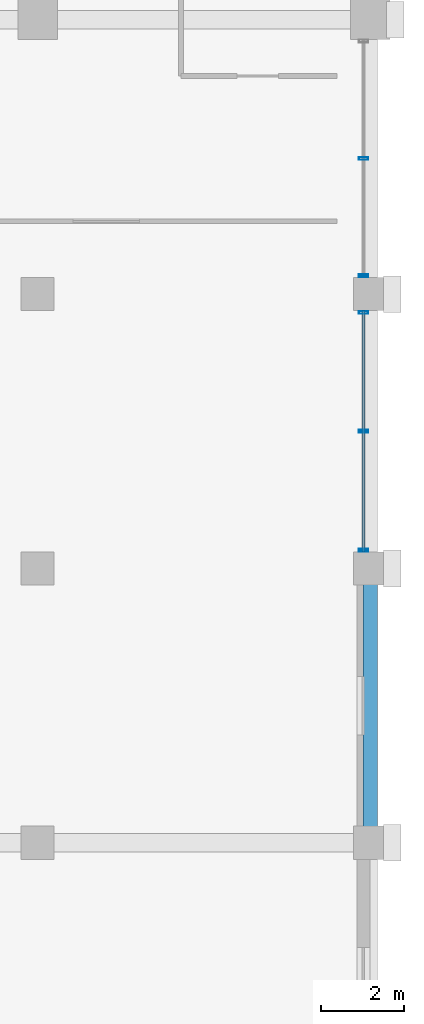
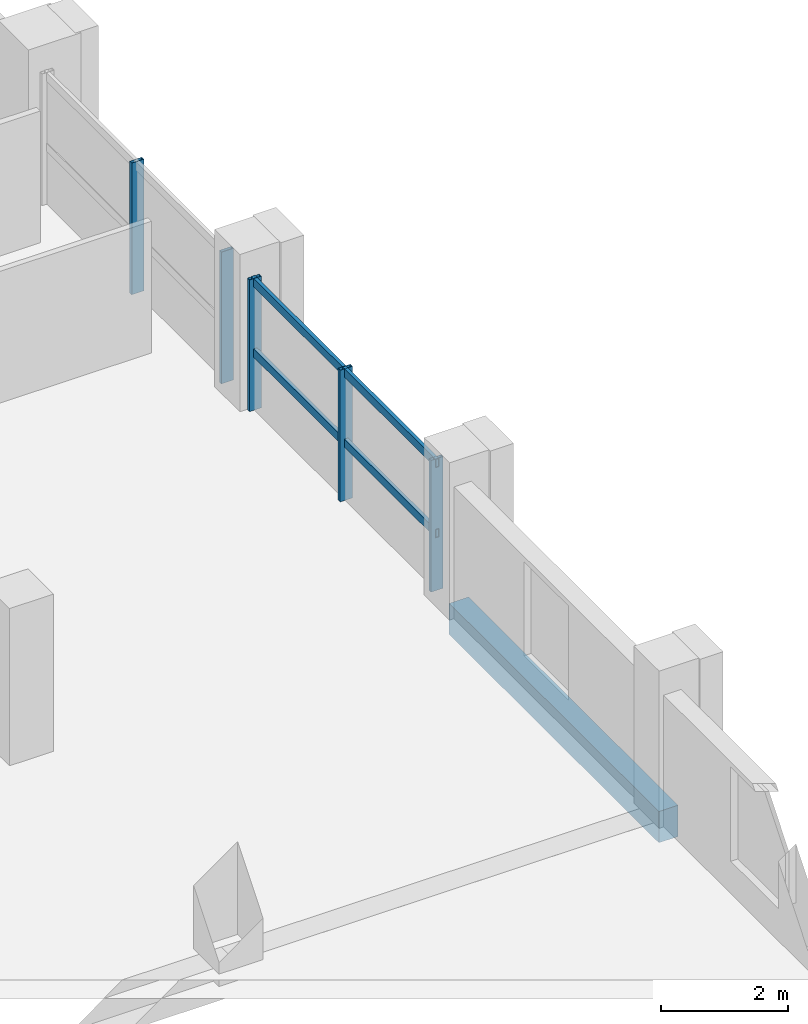
# One storey, part 9 of 23: 7 members, 1 beam, 2 elements without a shape of their own.
"""IFC4 building model written with IfcOpenShell, lengths in metres."""

from ifc_helpers import new_model, si_unit, direction, frame, origin, origin_2d, place, context, subcontext, project, spatial, rectangle, hollow_rectangle, extrude, material, material_profile, profile_set, type_object, element, aggregate, save


model = new_model("IFC4")

# Units and contexts
model_context = context("Model", 3, precision=1e-05, world=origin(), true_north=direction((0.0, 1.0)))
body_context = subcontext(model_context, "Body", "Model", "MODEL_VIEW")
ifc_project = project(units=[si_unit("LENGTHUNIT", "METRE"), si_unit("AREAUNIT", "SQUARE_METRE"), si_unit("VOLUMEUNIT", "CUBIC_METRE"), si_unit("PLANEANGLEUNIT", "RADIAN"), si_unit("MASSUNIT", "GRAM", prefix="KILO")], contexts=[model_context])

# Site, building, storey
site_placement = place(None, origin())
site = spatial("IfcSite", under=ifc_project, at=site_placement, CompositionType="ELEMENT")
building_placement = place(site_placement, origin())
building = spatial("IfcBuilding", under=site, at=building_placement, Name="Akrevak Sports Hall", CompositionType="ELEMENT")
storey_placement = place(building_placement, frame((0.0, 0.0, 43.800048828125)))
storey = spatial("IfcBuildingStorey", under=building, at=storey_placement, Name="L10", CompositionType="ELEMENT", Elevation=43.800048828125)

# Curtain wall, members
ifc_material_1 = material(Name="Anodized Bronze Aluminium & Low-E Glass", Category="aluminium")
curtain_wall_type = type_object("IfcCurtainWallType", Name="ARC-CW-TWR-64x30", PredefinedType="NOTDEFINED", material=ifc_material_1)
curtain_wall_1_placement = place(storey_placement, origin())
curtain_wall_1 = element("IfcCurtainWall", 1, at=curtain_wall_1_placement, inside=storey, type_object=curtain_wall_type, Name="Curtain Wall CW-L10-E13", PredefinedType="NOTDEFINED")
ifc_material_2 = material(Name="Anodized Bronze Aluminium", Category="aluminium")
ifc_material_profile_1 = material_profile(ifc_material_2, hollow_rectangle(XDim=0.06494140625, YDim=0.219970703125, WallThickness=0.00439453125, at=origin_2d()), Name="CWM 65x220", Category="aluminium")
ifc_profile_set_1 = profile_set([ifc_material_profile_1], Name="Anodized Bronze Aluminium")
member_type_1 = type_object("IfcMemberType", Name="ARC-CWM-70x160", PredefinedType="MULLION", material=ifc_profile_set_1)
member_1_placement = place(storey_placement, frame((107.840087890625, 42.43994140625, 0.0), z_axis=(0.0, 0.0, 1.0), x_axis=(0.0, 1.0, 0.0)))
member_1 = element("IfcMember", 2, at=member_1_placement, type_object=member_type_1, Name="Curtain Wall Mullion CW-L10-E13-M1", PredefinedType="MULLION", context=body_context, shape_type="SweptSolid", body=[
    extrude(hollow_rectangle(XDim=0.06494140625, YDim=0.219970703125, WallThickness=0.00439453125, at=origin_2d()), origin(), (0.0, 0.0, 1.0), 2.530029296875),
])
member_2_placement = place(storey_placement, frame((107.840087890625, 45.300048828125, 0.0), z_axis=(0.0, 0.0, 1.0), x_axis=(0.0, 1.0, 0.0)))
member_2 = element("IfcMember", 3, at=member_2_placement, type_object=member_type_1, Name="Curtain Wall Mullion CW-L10-E13-M2", PredefinedType="MULLION", context=body_context, shape_type="SweptSolid", body=[
    extrude(hollow_rectangle(XDim=0.06494140625, YDim=0.219970703125, WallThickness=0.00439453125, at=origin_2d()), origin(), (0.0, 0.0, 1.0), 2.530029296875),
])
member_3_placement = place(storey_placement, frame((107.840087890625, 48.159912109375, 0.0), z_axis=(0.0, 0.0, 1.0), x_axis=(0.0, 1.0, 0.0)))
member_3 = element("IfcMember", 4, at=member_3_placement, type_object=member_type_1, Name="Curtain Wall Mullion CW-L10-E13-M3", PredefinedType="MULLION", context=body_context, shape_type="SweptSolid", body=[
    extrude(hollow_rectangle(XDim=0.06494140625, YDim=0.219970703125, WallThickness=0.00439453125, at=origin_2d()), origin(), (0.0, 0.0, 1.0), 2.530029296875),
])

curtain_wall_2_placement = place(storey_placement, origin())
curtain_wall_2 = element("IfcCurtainWall", 5, at=curtain_wall_2_placement, inside=storey, type_object=curtain_wall_type, Name="Curtain Wall CW-L10-E14", PredefinedType="NOTDEFINED")
member_4_placement = place(storey_placement, frame((107.840087890625, 49.0400390625, 0.0), z_axis=(0.0, 0.0, 1.0), x_axis=(0.0, 1.0, 0.0)))
member_4 = element("IfcMember", 6, at=member_4_placement, type_object=member_type_1, Name="Curtain Wall Mullion CW-L10-E14-M1", PredefinedType="MULLION", context=body_context, shape_type="SweptSolid", body=[
    extrude(hollow_rectangle(XDim=0.06494140625, YDim=0.219970703125, WallThickness=0.00439453125, at=origin_2d()), origin(), (0.0, 0.0, 1.0), 2.530029296875),
])
member_5_placement = place(storey_placement, frame((107.840087890625, 51.862548828125, 0.0), z_axis=(0.0, 0.0, 1.0), x_axis=(0.0, 1.0, 0.0)))
member_5 = element("IfcMember", 7, at=member_5_placement, type_object=member_type_1, Name="Curtain Wall Mullion CW-L10-E14-M2", PredefinedType="MULLION", context=body_context, shape_type="SweptSolid", body=[
    extrude(hollow_rectangle(XDim=0.06494140625, YDim=0.219970703125, WallThickness=0.00439453125, at=origin_2d()), origin(), (0.0, 0.0, 1.0), 2.530029296875),
])
aggregate(curtain_wall_2, [member_4, member_5])

# Member
ifc_material_profile_2 = material_profile(ifc_material_2, hollow_rectangle(XDim=0.06494140625, YDim=0.159912109375, WallThickness=0.00390625, at=origin_2d()), Name="CWT 65x160", Category="aluminium")
ifc_profile_set_2 = profile_set([ifc_material_profile_2], Name="Anodized Bronze Aluminium")
member_type_2 = type_object("IfcMemberType", Name="ARC-CWT-70x130", PredefinedType="USERDEFINED", material=ifc_profile_set_2)
member_6_placement = place(storey_placement, frame((107.840087890625, 42.39990234375, 1.099853515625), z_axis=(0.0, 1.0, 0.0), x_axis=(-1.0, 0.0, 0.0)))
member_6 = element("IfcMember", 8, at=member_6_placement, type_object=member_type_2, Name="Curtain Wall Transom CW-L10-E13-T1", ObjectType="TRANSOM", PredefinedType="USERDEFINED", context=body_context, shape_type="SweptSolid", body=[
    extrude(hollow_rectangle(XDim=0.06494140625, YDim=0.159912109375, WallThickness=0.00390625, at=origin_2d()), origin(), (0.0, 0.0, 1.0), 5.800048828125),
])

member_7_placement = place(storey_placement, frame((107.840087890625, 42.39990234375, 2.449951171875), z_axis=(0.0, 1.0, 0.0), x_axis=(-1.0, 0.0, 0.0)))
member_7 = element("IfcMember", 9, at=member_7_placement, type_object=member_type_2, Name="Curtain Wall Transom CW-L10-E13-T2", ObjectType="TRANSOM", PredefinedType="USERDEFINED", context=body_context, shape_type="SweptSolid", body=[
    extrude(hollow_rectangle(XDim=0.06494140625, YDim=0.159912109375, WallThickness=0.00390625, at=origin_2d()), origin(), (0.0, 0.0, 1.0), 5.800048828125),
])

aggregate(curtain_wall_1, [member_1, member_2, member_3, member_6, member_7])

# Beam
ifc_material_3 = material(Name="Concrete C40/50", Category="concrete")
ifc_material_profile_3 = material_profile(ifc_material_3, rectangle(XDim=0.35009765625, YDim=0.60009765625, at=origin_2d()), Name="BM 350x600", Category="concrete")
ifc_profile_set_3 = profile_set([ifc_material_profile_3], Name="Concrete C40/50")
beam_type = type_object("IfcBeamType", Name="STR-BM-RC350x600", PredefinedType="BEAM", material=ifc_profile_set_3)
beam_placement = place(storey_placement, frame((108.0, 35.39990234375, -0.300048828125), z_axis=(0.0, 1.0, 0.0), x_axis=(-1.0, 0.0, 0.0)))
element("IfcBeam", 10, at=beam_placement, inside=storey, type_object=beam_type, Name="Girder 15/F-G (L10)", PredefinedType="BEAM", context=body_context, shape_type="SweptSolid", body=[
    extrude(rectangle(XDim=0.35009765625, YDim=0.60009765625, at=origin_2d()), origin(), (0.0, 0.0, 1.0), 6.60009765625),
])

save(model, "model.ifc")
